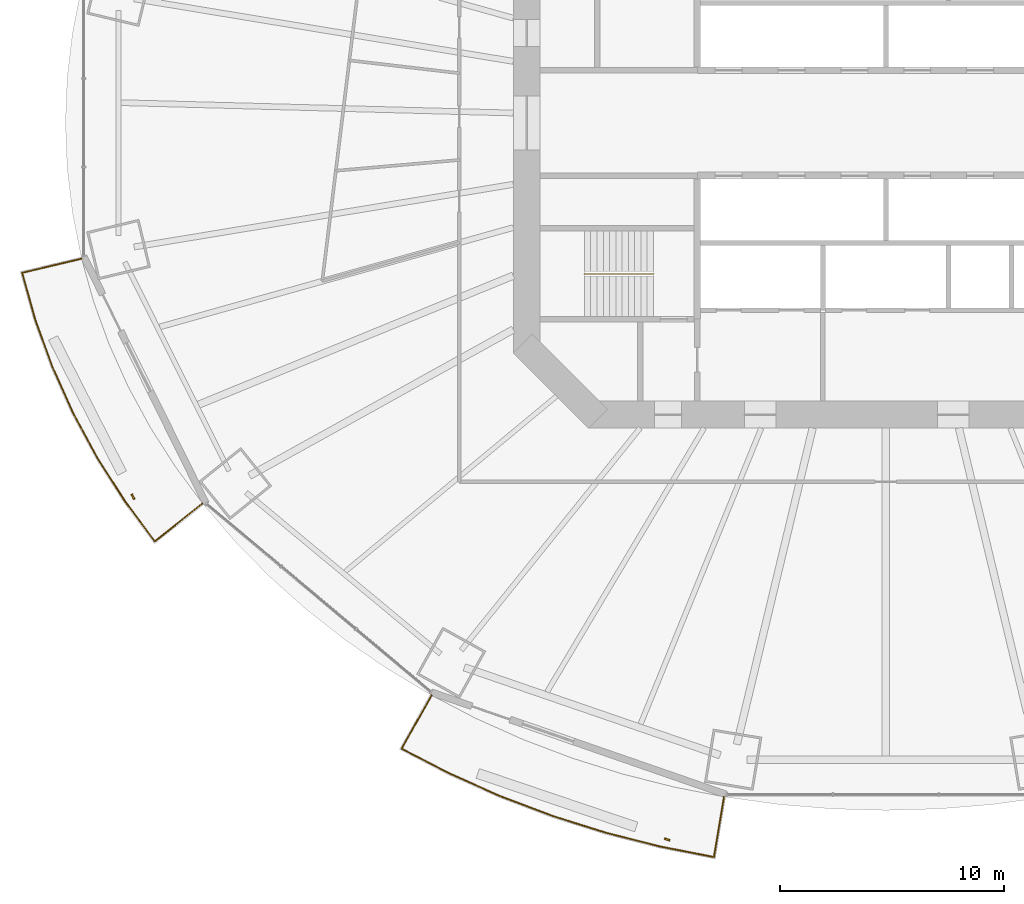
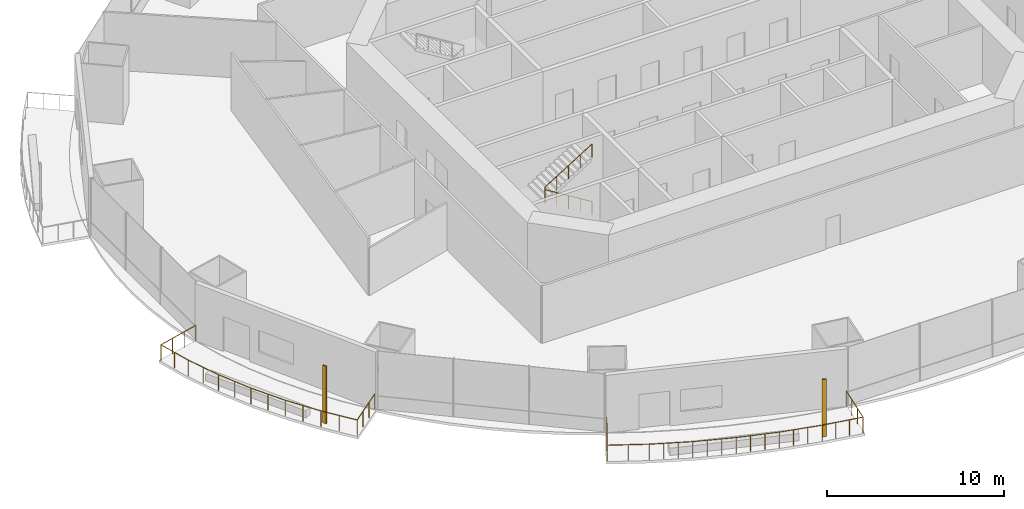
# One storey, part 18 of 23: 3 railings, 2 shading devices.
"""IFC4 building model written with IfcOpenShell, lengths in metres."""

from ifc_helpers import new_model, si_unit, direction, frame, origin, origin_2d, place, context, subcontext, project, spatial, rectangle, circle, extrude, material, material_profile, profile_set, type_object, element, save


model = new_model("IFC4")

# Units and contexts
model_context = context("Model", 3, precision=1e-05, world=origin(), true_north=direction((0.0, 1.0)))
body_context = subcontext(model_context, "Body", "Model", "MODEL_VIEW")
ifc_project = project(units=[si_unit("LENGTHUNIT", "METRE"), si_unit("AREAUNIT", "SQUARE_METRE"), si_unit("VOLUMEUNIT", "CUBIC_METRE"), si_unit("PLANEANGLEUNIT", "RADIAN"), si_unit("MASSUNIT", "GRAM", prefix="KILO")], contexts=[model_context])

# Site, building, storey
site_placement = place(None, origin())
site = spatial("IfcSite", under=ifc_project, at=site_placement, CompositionType="ELEMENT")
building_placement = place(site_placement, origin())
building = spatial("IfcBuilding", under=site, at=building_placement, Name="Marenthal Gate Tower", CompositionType="ELEMENT")
storey_placement = place(building_placement, frame((0.0, 0.0, 49.60009765625)))
storey = spatial("IfcBuildingStorey", under=building, at=storey_placement, Name="L08", CompositionType="ELEMENT", Elevation=49.60009765625)

# Railings
ifc_material_1 = material(Name="Stainless steel", Category="steel")
railing_type_1 = type_object("IfcRailingType", Name="Balcony guard 1100", PredefinedType="GUARDRAIL", material=ifc_material_1)
railing_1_placement = place(storey_placement, frame((-30.44677734375, -16.957275390625, 0.0)))
element("IfcRailing", 1, at=railing_1_placement, inside=storey, type_object=railing_type_1, Name="Balcony guard L08 bay 9", PredefinedType="GUARDRAIL", context=body_context, shape_type="SweptSolid", body=[
    extrude(circle(Radius=0.02392578125, at=origin_2d()), frame((0.0, 0.0, 1.076171875), z_axis=(-0.782017214913, -0.623083029968, -0.014717790136), x_axis=(0.623150524983, -0.782101926358, 0.0)), (0.0, 0.0, 1.0), 2.720458984375),
    extrude(circle(Radius=0.02392578125, at=origin_2d()), frame((-2.12744140625, -1.695068359375, 1.0361328125), z_axis=(-0.594837345743, 0.803846087326, 0.0), x_axis=(-0.803846087326, -0.594837345743, 0.0)), (0.0, 0.0, 1.0), 2.22998046875),
    extrude(circle(Radius=0.02392578125, at=origin_2d()), frame((-3.453857421875, 0.097412109375, 1.0361328125), z_axis=(-0.537716445458, 0.843125746425, 0.0), x_axis=(-0.843125746425, -0.537716445458, 0.0)), (0.0, 0.0, 1.0), 2.291015625),
    extrude(circle(Radius=0.02392578125, at=origin_2d()), frame((-4.685791015625, 2.029052734375, 1.0361328125), z_axis=(-0.475629312141, 0.879645813628, 0.0), x_axis=(-0.879645813628, -0.475629312141, 0.0)), (0.0, 0.0, 1.0), 2.27392578125),
    extrude(circle(Radius=0.02392578125, at=origin_2d()), frame((-5.767333984375, 4.029296875, 1.0361328125), z_axis=(-0.409595910935, 0.912267060539, 0.0), x_axis=(-0.912267060539, -0.409595910935, 0.0)), (0.0, 0.0, 1.0), 2.258544921875),
    extrude(circle(Radius=0.02392578125, at=origin_2d()), frame((-6.6923828125, 6.089599609375, 1.0361328125), z_axis=(-0.340363176703, 0.940294053977, 0.0), x_axis=(-0.940294053977, -0.340363176703, 0.0)), (0.0, 0.0, 1.0), 2.2451171875),
    extrude(circle(Radius=0.02392578125, at=origin_2d()), frame((-7.45654296875, 8.20068359375, 1.0361328125), z_axis=(-0.269402906993, 0.963027556046, 0.0), x_axis=(-0.963027556046, -0.269402906993, 0.0)), (0.0, 0.0, 1.0), 2.154052734375),
    extrude(circle(Radius=0.02392578125, at=origin_2d()), frame((-8.036865234375, 10.275146484375, 1.0361328125), z_axis=(0.972906523904, 0.230729884047, 0.014717892254), x_axis=(-0.230754878041, 0.973011914758, 0.0)), (0.0, 0.0, 1.0), 2.720458984375),
    extrude(circle(Radius=0.02099609375, at=origin_2d()), origin(), (0.0, 0.0, 1.0), 1.052001953125),
    extrude(circle(Radius=0.02099609375, at=origin_2d()), frame((-0.709228515625, -0.56494140625, -0.013427734375)), (0.0, 0.0, 1.0), 1.052001953125),
    extrude(circle(Radius=0.02099609375, at=origin_2d()), frame((-1.418212890625, -1.130126953125, -0.026611328125)), (0.0, 0.0, 1.0), 1.052001953125),
    extrude(circle(Radius=0.02099609375, at=origin_2d()), frame((-2.12744140625, -1.695068359375, -0.0400390625)), (0.0, 0.0, 1.0), 1.052001953125),
    extrude(circle(Radius=0.02099609375, at=origin_2d()), frame((-2.79052734375, -0.798828125, -0.0400390625)), (0.0, 0.0, 1.0), 1.052001953125),
    extrude(circle(Radius=0.02099609375, at=origin_2d()), frame((-3.453857421875, 0.097412109375, -0.0400390625)), (0.0, 0.0, 1.0), 1.052001953125),
    extrude(circle(Radius=0.02099609375, at=origin_2d()), frame((-4.06982421875, 1.063232421875, -0.0400390625)), (0.0, 0.0, 1.0), 1.052001953125),
    extrude(circle(Radius=0.02099609375, at=origin_2d()), frame((-4.685791015625, 2.029052734375, -0.0400390625)), (0.0, 0.0, 1.0), 1.052001953125),
    extrude(circle(Radius=0.02099609375, at=origin_2d()), frame((-5.2265625, 3.029296875, -0.0400390625)), (0.0, 0.0, 1.0), 1.052001953125),
    extrude(circle(Radius=0.02099609375, at=origin_2d()), frame((-5.767333984375, 4.029296875, -0.0400390625)), (0.0, 0.0, 1.0), 1.052001953125),
    extrude(circle(Radius=0.02099609375, at=origin_2d()), frame((-6.22998046875, 5.0595703125, -0.0400390625)), (0.0, 0.0, 1.0), 1.052001953125),
    extrude(circle(Radius=0.02099609375, at=origin_2d()), frame((-6.6923828125, 6.089599609375, -0.0400390625)), (0.0, 0.0, 1.0), 1.052001953125),
    extrude(circle(Radius=0.02099609375, at=origin_2d()), frame((-7.074462890625, 7.14501953125, -0.0400390625)), (0.0, 0.0, 1.0), 1.052001953125),
    extrude(circle(Radius=0.02099609375, at=origin_2d()), frame((-7.45654296875, 8.20068359375, -0.0400390625)), (0.0, 0.0, 1.0), 1.052001953125),
    extrude(circle(Radius=0.02099609375, at=origin_2d()), frame((-7.74658203125, 9.23779296875, -0.0400390625)), (0.0, 0.0, 1.0), 1.052001953125),
    extrude(circle(Radius=0.02099609375, at=origin_2d()), frame((-8.036865234375, 10.275146484375, -0.0400390625)), (0.0, 0.0, 1.0), 1.052001953125),
    extrude(circle(Radius=0.02099609375, at=origin_2d()), frame((-7.154541015625, 10.484375, -0.026611328125)), (0.0, 0.0, 1.0), 1.052001953125),
    extrude(circle(Radius=0.02099609375, at=origin_2d()), frame((-6.2724609375, 10.693603515625, -0.013427734375)), (0.0, 0.0, 1.0), 1.052001953125),
    extrude(circle(Radius=0.02099609375, at=origin_2d()), frame((-5.39013671875, 10.90283203125, 0.0)), (0.0, 0.0, 1.0), 1.052001953125),
])
railing_2_placement = place(storey_placement, frame((-7.2109375, -30.033203125, 0.0)))
element("IfcRailing", 2, at=railing_2_placement, inside=storey, type_object=railing_type_1, Name="Balcony guard L08 bay 11", PredefinedType="GUARDRAIL", context=body_context, shape_type="SweptSolid", body=[
    extrude(circle(Radius=0.02392578125, at=origin_2d()), frame((0.0, 0.0, 1.076171875), z_axis=(-0.164512163182, -0.986265227064, -0.014719036968), x_axis=(0.986372081632, -0.164529986862, 0.0)), (0.0, 0.0, 1.0), 2.72021484375),
    extrude(circle(Radius=0.02392578125, at=origin_2d()), frame((-0.447509765625, -2.682861328125, 1.0361328125), z_axis=(-0.981261967917, 0.19267835976, 0.0), x_axis=(-0.19267835976, -0.981261967917, 0.0)), (0.0, 0.0, 1.0), 2.445556640625),
    extrude(circle(Radius=0.02392578125, at=origin_2d()), frame((-2.84716796875, -2.211669921875, 1.0361328125), z_axis=(-0.969181494284, 0.246347784927, 0.0), x_axis=(-0.246347784927, -0.969181494284, 0.0)), (0.0, 0.0, 1.0), 2.515380859375),
    extrude(circle(Radius=0.02392578125, at=origin_2d()), frame((-5.284912109375, -1.592041015625, 1.0361328125), z_axis=(-0.953671084495, 0.30085123001, 0.0), x_axis=(-0.30085123001, -0.953671084495, 0.0)), (0.0, 0.0, 1.0), 2.502685546875),
    extrude(circle(Radius=0.02392578125, at=origin_2d()), frame((-7.671630859375, -0.839111328125, 1.0361328125), z_axis=(-0.934902124895, 0.354905645019, 0.0), x_axis=(-0.354905645019, -0.934902124895, 0.0)), (0.0, 0.0, 1.0), 2.488037109375),
    extrude(circle(Radius=0.02392578125, at=origin_2d()), frame((-9.997802734375, 0.0439453125, 1.0361328125), z_axis=(-0.912605925031, 0.408840342429, 0.0), x_axis=(-0.408840342429, -0.912605925031, 0.0)), (0.0, 0.0, 1.0), 2.4716796875),
    extrude(circle(Radius=0.02392578125, at=origin_2d()), frame((-12.25341796875, 1.054443359375, 1.0361328125), z_axis=(-0.887280789471, 0.461229661487, 0.0), x_axis=(-0.461229661487, -0.887280789471, 0.0)), (0.0, 0.0, 1.0), 2.37353515625),
    extrude(circle(Radius=0.02392578125, at=origin_2d()), frame((-14.359375, 2.149169921875, 1.0361328125), z_axis=(0.488779989422, 0.872282908041, 0.014719044852), x_axis=(-0.872377413566, 0.488832945188, 0.0)), (0.0, 0.0, 1.0), 2.72021484375),
    extrude(circle(Radius=0.02099609375, at=origin_2d()), origin(), (0.0, 0.0, 1.0), 1.052001953125),
    extrude(circle(Radius=0.02099609375, at=origin_2d()), frame((-0.149169921875, -0.894287109375, -0.013427734375)), (0.0, 0.0, 1.0), 1.052001953125),
    extrude(circle(Radius=0.02099609375, at=origin_2d()), frame((-0.29833984375, -1.78857421875, -0.026611328125)), (0.0, 0.0, 1.0), 1.052001953125),
    extrude(circle(Radius=0.02099609375, at=origin_2d()), frame((-0.447509765625, -2.682861328125, -0.0400390625)), (0.0, 0.0, 1.0), 1.052001953125),
    extrude(circle(Radius=0.02099609375, at=origin_2d()), frame((-1.247314453125, -2.52587890625, -0.0400390625)), (0.0, 0.0, 1.0), 1.052001953125),
    extrude(circle(Radius=0.02099609375, at=origin_2d()), frame((-2.04736328125, -2.36865234375, -0.0400390625)), (0.0, 0.0, 1.0), 1.052001953125),
    extrude(circle(Radius=0.02099609375, at=origin_2d()), frame((-2.84716796875, -2.211669921875, -0.0400390625)), (0.0, 0.0, 1.0), 1.052001953125),
    extrude(circle(Radius=0.02099609375, at=origin_2d()), frame((-3.65966796875, -2.005126953125, -0.0400390625)), (0.0, 0.0, 1.0), 1.052001953125),
    extrude(circle(Radius=0.02099609375, at=origin_2d()), frame((-4.472412109375, -1.798583984375, -0.0400390625)), (0.0, 0.0, 1.0), 1.052001953125),
    extrude(circle(Radius=0.02099609375, at=origin_2d()), frame((-5.284912109375, -1.592041015625, -0.0400390625)), (0.0, 0.0, 1.0), 1.052001953125),
    extrude(circle(Radius=0.02099609375, at=origin_2d()), frame((-6.08056640625, -1.341064453125, -0.0400390625)), (0.0, 0.0, 1.0), 1.052001953125),
    extrude(circle(Radius=0.02099609375, at=origin_2d()), frame((-6.8759765625, -1.090087890625, -0.0400390625)), (0.0, 0.0, 1.0), 1.052001953125),
    extrude(circle(Radius=0.02099609375, at=origin_2d()), frame((-7.671630859375, -0.839111328125, -0.0400390625)), (0.0, 0.0, 1.0), 1.052001953125),
    extrude(circle(Radius=0.02099609375, at=origin_2d()), frame((-8.447021484375, -0.544677734375, -0.0400390625)), (0.0, 0.0, 1.0), 1.052001953125),
    extrude(circle(Radius=0.02099609375, at=origin_2d()), frame((-9.222412109375, -0.25048828125, -0.0400390625)), (0.0, 0.0, 1.0), 1.052001953125),
    extrude(circle(Radius=0.02099609375, at=origin_2d()), frame((-9.997802734375, 0.0439453125, -0.0400390625)), (0.0, 0.0, 1.0), 1.052001953125),
    extrude(circle(Radius=0.02099609375, at=origin_2d()), frame((-10.749755859375, 0.380859375, -0.0400390625)), (0.0, 0.0, 1.0), 1.052001953125),
    extrude(circle(Radius=0.02099609375, at=origin_2d()), frame((-11.50146484375, 0.717529296875, -0.0400390625)), (0.0, 0.0, 1.0), 1.052001953125),
    extrude(circle(Radius=0.02099609375, at=origin_2d()), frame((-12.25341796875, 1.054443359375, -0.0400390625)), (0.0, 0.0, 1.0), 1.052001953125),
    extrude(circle(Radius=0.02099609375, at=origin_2d()), frame((-13.306396484375, 1.601806640625, -0.0400390625)), (0.0, 0.0, 1.0), 1.052001953125),
    extrude(circle(Radius=0.02099609375, at=origin_2d()), frame((-14.359375, 2.149169921875, -0.0400390625)), (0.0, 0.0, 1.0), 1.052001953125),
    extrude(circle(Radius=0.02099609375, at=origin_2d()), frame((-13.916259765625, 2.940185546875, -0.026611328125)), (0.0, 0.0, 1.0), 1.052001953125),
    extrude(circle(Radius=0.02099609375, at=origin_2d()), frame((-13.472900390625, 3.73095703125, -0.013427734375)), (0.0, 0.0, 1.0), 1.052001953125),
    extrude(circle(Radius=0.02099609375, at=origin_2d()), frame((-13.02978515625, 4.52197265625, 0.0)), (0.0, 0.0, 1.0), 1.052001953125),
])
ifc_material_2 = material(Name="Stainless steel", Category="steel")
railing_type_2 = type_object("IfcRailingType", Name="Stair handrail", PredefinedType="HANDRAIL", material=ifc_material_2)
railing_3_placement = place(storey_placement, frame((-10.35009765625, -6.72509765625, 0.1728515625)))
element("IfcRailing", 3, at=railing_3_placement, inside=storey, type_object=railing_type_2, Name="Handrail ST2", PredefinedType="HANDRAIL", context=body_context, shape_type="SweptSolid", body=[
    extrude(circle(Radius=0.0224609375, at=origin_2d()), frame((0.0, 0.0, 0.927490234375), z_axis=(-0.850816621229, 0.0, 0.525462726595), x_axis=(0.0, -1.0, 0.0)), (0.0, 0.0, 1.0), 3.619873046875),
    extrude(circle(Radius=0.0224609375, at=origin_2d()), frame((-3.079833984375, 0.0, 2.82958984375), z_axis=(0.0, 0.0, 1.0), x_axis=(1.0, 0.0, 0.0)), (0.0, 0.0, 1.0), 0.1728515625),
    extrude(circle(Radius=0.0224609375, at=origin_2d()), frame((-3.079833984375, 0.0, 3.00244140625), z_axis=(0.850816621229, 0.0, 0.525462726595), x_axis=(0.0, 1.0, 0.0)), (0.0, 0.0, 1.0), 3.619873046875),
    extrude(circle(Radius=0.02001953125, at=origin_2d()), origin(), (0.0, 0.0, 1.0), 0.905029296875),
    extrude(circle(Radius=0.02001953125, at=origin_2d()), frame((-0.77001953125, 0.0, 0.4755859375)), (0.0, 0.0, 1.0), 0.905029296875),
    extrude(circle(Radius=0.02001953125, at=origin_2d()), frame((-1.5400390625, 0.0, 0.951171875)), (0.0, 0.0, 1.0), 0.905029296875),
    extrude(circle(Radius=0.02001953125, at=origin_2d()), frame((-2.309814453125, 0.0, 1.426513671875)), (0.0, 0.0, 1.0), 0.905029296875),
    extrude(circle(Radius=0.02001953125, at=origin_2d()), frame((-3.079833984375, 0.0, 1.902099609375)), (0.0, 0.0, 1.0), 0.905029296875),
    extrude(circle(Radius=0.02001953125, at=origin_2d()), frame((-3.079833984375, 0.0, 2.074951171875)), (0.0, 0.0, 1.0), 0.905029296875),
    extrude(circle(Radius=0.02001953125, at=origin_2d()), frame((-2.309814453125, 0.0, 2.550537109375)), (0.0, 0.0, 1.0), 0.905029296875),
    extrude(circle(Radius=0.02001953125, at=origin_2d()), frame((-1.5400390625, 0.0, 3.02587890625)), (0.0, 0.0, 1.0), 0.905029296875),
    extrude(circle(Radius=0.02001953125, at=origin_2d()), frame((-0.77001953125, 0.0, 3.50146484375)), (0.0, 0.0, 1.0), 0.905029296875),
    extrude(circle(Radius=0.02001953125, at=origin_2d()), frame((0.0, 0.0, 3.97705078125)), (0.0, 0.0, 1.0), 0.905029296875),
])

# Shading devices
ifc_material_3 = material(Name="Terracotta", Category="masonry")
ifc_material_profile = material_profile(ifc_material_3, rectangle(XDim=0.25, YDim=0.080078125, at=origin_2d()), Name="Terracotta baguette 250x80")
ifc_profile_set = profile_set([ifc_material_profile], Name="Terracotta")
shading_device_type = type_object("IfcShadingDeviceType", Name="Terracotta BAGUETTE SCREEN 250x80", PredefinedType="USERDEFINED", material=ifc_profile_set)
for number, where, z_axis, x_axis, name in (
    (4, (-33.545654296875, -16.658935546875, -0.0400390625), (0.0, 0.0, 1.0), (0.44305812807, -0.89649288628, 0.0), "Terracotta BAGUETTE L08 bay 9R"),
    (5, (-9.740234375, -31.9326171875, -0.0400390625), (0.0, 0.0, 1.0), (0.944690686162, -0.327962661713, 0.0), "Terracotta BAGUETTE L08 bay 11R"),
):
    element("IfcShadingDevice", number, at=place(storey_placement, frame(where, z_axis=z_axis, x_axis=x_axis)), inside=storey, type_object=shading_device_type, Name=name, ObjectType="BAGUETTE SCREEN", PredefinedType="USERDEFINED", context=body_context, shape_type="SweptSolid", body=[
        extrude(rectangle(XDim=0.25, YDim=0.080078125, at=origin_2d()), origin(), (0.0, 0.0, 1.0), 3.969970703125),
    ])

save(model, "model.ifc")
